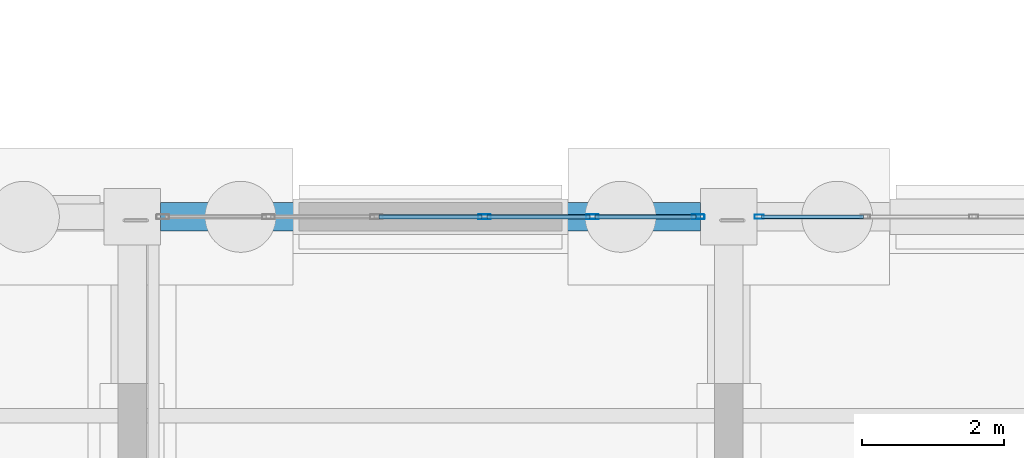
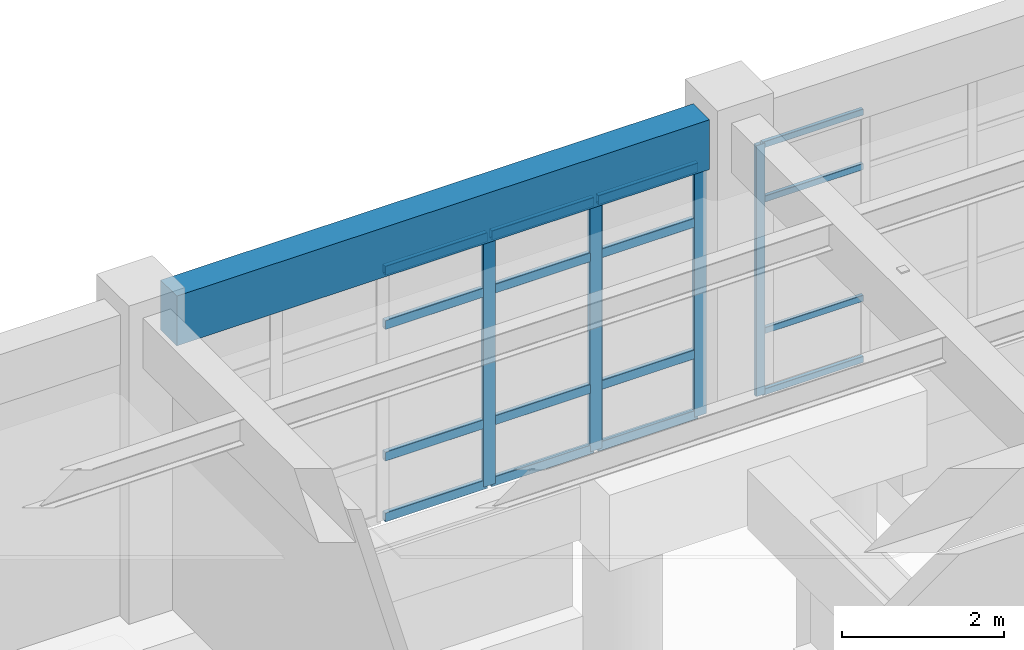
# One storey, part 31 of 111: 20 members, 1 beam, 2 elements without a shape of their own.
"""IFC4 building model written with IfcOpenShell, lengths in metres."""

from ifc_helpers import new_model, si_unit, direction, frame, origin, origin_2d, place, context, subcontext, project, spatial, rectangle, hollow_rectangle, extrude, material, material_profile, profile_set, type_object, element, aggregate, save


model = new_model("IFC4")

# Units and contexts
model_context = context("Model", 3, precision=1e-05, world=origin(), true_north=direction((0.0, 1.0)))
body_context = subcontext(model_context, "Body", "Model", "MODEL_VIEW")
ifc_project = project(units=[si_unit("LENGTHUNIT", "METRE"), si_unit("AREAUNIT", "SQUARE_METRE"), si_unit("VOLUMEUNIT", "CUBIC_METRE"), si_unit("PLANEANGLEUNIT", "RADIAN"), si_unit("MASSUNIT", "GRAM", prefix="KILO")], contexts=[model_context])

# Site, building, storey
site_placement = place(None, origin())
site = spatial("IfcSite", under=ifc_project, at=site_placement, CompositionType="ELEMENT")
building_placement = place(site_placement, origin())
building = spatial("IfcBuilding", under=site, at=building_placement, Name="Canglan Escarpment Cableway Terminal", CompositionType="ELEMENT")
storey_placement = place(building_placement, frame((0.0, 0.0, 4.800048828125)))
storey = spatial("IfcBuildingStorey", under=building, at=storey_placement, Name="L01", CompositionType="ELEMENT", Elevation=4.800048828125)

# Curtain wall, member
ifc_material_1 = material(Name="Anodized bronze aluminium and Low-E double glazing", Category="aluminium")
curtain_wall_type_1 = type_object("IfcCurtainWallType", Name="CW-BAY-7625x3775", PredefinedType="NOTDEFINED", material=ifc_material_1)
curtain_wall_1_placement = place(storey_placement, origin())
curtain_wall_1 = element("IfcCurtainWall", 1, at=curtain_wall_1_placement, inside=storey, type_object=curtain_wall_type_1, Name="Classical bay-between-piers glazed curtain wall CW-10", PredefinedType="NOTDEFINED")
ifc_material_2 = material(Name="Thermally broken anodized aluminium 6063-T6", Category="aluminium")
ifc_material_profile_1 = material_profile(ifc_material_2, hollow_rectangle(XDim=0.06005859375, YDim=0.1298828125, WallThickness=0.0029296875, InnerFilletRadius=0.0029296875, OuterFilletRadius=0.006103515625, at=origin_2d()), Name="ALU-MULL 60x130x3")
ifc_profile_set_1 = profile_set([ifc_material_profile_1], Name="Thermally broken anodized aluminium 6063-T6")
member_type_1 = type_object("IfcMemberType", Name="CWM-01", PredefinedType="MULLION", material=ifc_profile_set_1)
member_1_placement = place(storey_placement, frame((102.6298828125, 24.800048828125, 0.0), z_axis=(0.0, 0.0, 1.0), x_axis=(0.0, -1.0, 0.0)))
member_1 = element("IfcMember", 2, at=member_1_placement, type_object=member_type_1, Name="CW-10 mullion 6", PredefinedType="MULLION", context=body_context, shape_type="SweptSolid", body=[
    extrude(hollow_rectangle(XDim=0.06005859375, YDim=0.1298828125, WallThickness=0.0029296875, InnerFilletRadius=0.0029296875, OuterFilletRadius=0.006103515625, at=origin_2d()), origin(), (0.0, 0.0, 1.0), 3.784912109375),
])

# Curtain wall, members
curtain_wall_type_2 = type_object("IfcCurtainWallType", Name="CW-BAY-7600x3775", PredefinedType="NOTDEFINED", material=ifc_material_1)
curtain_wall_2_placement = place(storey_placement, origin())
curtain_wall_2 = element("IfcCurtainWall", 3, at=curtain_wall_2_placement, inside=storey, type_object=curtain_wall_type_2, Name="Classical bay-between-piers glazed curtain wall CW-09", PredefinedType="NOTDEFINED")
ifc_material_profile_2 = material_profile(ifc_material_2, hollow_rectangle(XDim=0.06494140625, YDim=0.179931640625, WallThickness=0.00390625, InnerFilletRadius=0.00390625, OuterFilletRadius=0.008056640625, at=origin_2d()), Name="ALU-MULL 65x180x4")
ifc_profile_set_2 = profile_set([ifc_material_profile_2], Name="Thermally broken anodized aluminium 6063-T6")
member_type_2 = type_object("IfcMemberType", Name="CWM-03", PredefinedType="MULLION", material=ifc_profile_set_2)
member_2_placement = place(storey_placement, frame((101.767578125, 24.800048828125, 0.0), z_axis=(0.0, 0.0, 1.0), x_axis=(0.0, -1.0, 0.0)))
member_2 = element("IfcMember", 4, at=member_2_placement, type_object=member_type_2, Name="CW-09 mullion 1", PredefinedType="MULLION", context=body_context, shape_type="SweptSolid", body=[
    extrude(hollow_rectangle(XDim=0.06494140625, YDim=0.179931640625, WallThickness=0.00390625, InnerFilletRadius=0.00390625, OuterFilletRadius=0.008056640625, at=origin_2d()), origin(), (0.0, 0.0, 1.0), 3.784912109375),
])
member_3_placement = place(storey_placement, frame((100.280029296875, 24.800048828125, 0.0), z_axis=(0.0, 0.0, 1.0), x_axis=(0.0, -1.0, 0.0)))
member_3 = element("IfcMember", 5, at=member_3_placement, type_object=member_type_2, Name="CW-09 mullion 2", PredefinedType="MULLION", context=body_context, shape_type="SweptSolid", body=[
    extrude(hollow_rectangle(XDim=0.06494140625, YDim=0.179931640625, WallThickness=0.00390625, InnerFilletRadius=0.00390625, OuterFilletRadius=0.008056640625, at=origin_2d()), origin(), (0.0, 0.0, 1.0), 3.784912109375),
])
member_4_placement = place(storey_placement, frame((98.760009765625, 24.800048828125, 0.0), z_axis=(0.0, 0.0, 1.0), x_axis=(0.0, -1.0, 0.0)))
member_4 = element("IfcMember", 6, at=member_4_placement, type_object=member_type_2, Name="CW-09 mullion 3", PredefinedType="MULLION", context=body_context, shape_type="SweptSolid", body=[
    extrude(hollow_rectangle(XDim=0.06494140625, YDim=0.179931640625, WallThickness=0.00390625, InnerFilletRadius=0.00390625, OuterFilletRadius=0.008056640625, at=origin_2d()), origin(), (0.0, 0.0, 1.0), 3.784912109375),
])

# Member
ifc_material_profile_3 = material_profile(ifc_material_2, hollow_rectangle(XDim=0.054931640625, YDim=0.094970703125, WallThickness=0.0029296875, InnerFilletRadius=0.0029296875, OuterFilletRadius=0.006103515625, at=origin_2d()), Name="ALU-TRAN 55x95x3")
ifc_profile_set_3 = profile_set([ifc_material_profile_3], Name="Thermally broken anodized aluminium 6063-T6")
member_type_3 = type_object("IfcMemberType", Name="CWT-01", PredefinedType="USERDEFINED", material=ifc_profile_set_3)
member_5_placement = place(storey_placement, frame((104.094970703125, 24.800048828125, 0.02734375), z_axis=(-1.0, 0.0, 0.0), x_axis=(0.0, -1.0, 0.0)))
member_5 = element("IfcMember", 7, at=member_5_placement, type_object=member_type_3, Name="CW-10 transom 5.1", ObjectType="TRANSOM", PredefinedType="USERDEFINED", context=body_context, shape_type="SweptSolid", body=[
    extrude(hollow_rectangle(XDim=0.054931640625, YDim=0.094970703125, WallThickness=0.0029296875, InnerFilletRadius=0.0029296875, OuterFilletRadius=0.006103515625, at=origin_2d()), origin(), (0.0, 0.0, 1.0), 1.43505859375),
])

member_6_placement = place(storey_placement, frame((104.094970703125, 24.800048828125, 0.949951171875), z_axis=(-1.0, 0.0, 0.0), x_axis=(0.0, -1.0, 0.0)))
member_6 = element("IfcMember", 8, at=member_6_placement, type_object=member_type_3, Name="CW-10 transom 5.2", ObjectType="TRANSOM", PredefinedType="USERDEFINED", context=body_context, shape_type="SweptSolid", body=[
    extrude(hollow_rectangle(XDim=0.054931640625, YDim=0.094970703125, WallThickness=0.0029296875, InnerFilletRadius=0.0029296875, OuterFilletRadius=0.006103515625, at=origin_2d()), origin(), (0.0, 0.0, 1.0), 1.43505859375),
])

member_7_placement = place(storey_placement, frame((104.094970703125, 24.800048828125, 2.93505859375), z_axis=(-1.0, 0.0, 0.0), x_axis=(0.0, -1.0, 0.0)))
member_7 = element("IfcMember", 9, at=member_7_placement, type_object=member_type_3, Name="CW-10 transom 5.3", ObjectType="TRANSOM", PredefinedType="USERDEFINED", context=body_context, shape_type="SweptSolid", body=[
    extrude(hollow_rectangle(XDim=0.054931640625, YDim=0.094970703125, WallThickness=0.0029296875, InnerFilletRadius=0.0029296875, OuterFilletRadius=0.006103515625, at=origin_2d()), origin(), (0.0, 0.0, 1.0), 1.43505859375),
])

member_8_placement = place(storey_placement, frame((104.094970703125, 24.800048828125, 3.757568359375), z_axis=(-1.0, 0.0, 0.0), x_axis=(0.0, -1.0, 0.0)))
member_8 = element("IfcMember", 10, at=member_8_placement, type_object=member_type_3, Name="CW-10 transom 5.4", ObjectType="TRANSOM", PredefinedType="USERDEFINED", context=body_context, shape_type="SweptSolid", body=[
    extrude(hollow_rectangle(XDim=0.054931640625, YDim=0.094970703125, WallThickness=0.0029296875, InnerFilletRadius=0.0029296875, OuterFilletRadius=0.006103515625, at=origin_2d()), origin(), (0.0, 0.0, 1.0), 1.43505859375),
])

aggregate(curtain_wall_1, [member_1, member_5, member_6, member_7, member_8])

ifc_material_profile_4 = material_profile(ifc_material_2, hollow_rectangle(XDim=0.06494140625, YDim=0.139892578125, WallThickness=0.00341796875, InnerFilletRadius=0.00341796875, OuterFilletRadius=0.007080078125, at=origin_2d()), Name="ALU-TRAN 65x140x3.5")
ifc_profile_set_4 = profile_set([ifc_material_profile_4], Name="Thermally broken anodized aluminium 6063-T6")
member_type_4 = type_object("IfcMemberType", Name="CWT-03", PredefinedType="USERDEFINED", material=ifc_profile_set_4)
member_9_placement = place(storey_placement, frame((101.735107421875, 24.800048828125, 0.032470703125), z_axis=(-1.0, 0.0, 0.0), x_axis=(0.0, -1.0, 0.0)))
member_9 = element("IfcMember", 11, at=member_9_placement, type_object=member_type_4, Name="CW-09 transom 1.1", ObjectType="TRANSOM", PredefinedType="USERDEFINED", context=body_context, shape_type="SweptSolid", body=[
    extrude(hollow_rectangle(XDim=0.06494140625, YDim=0.139892578125, WallThickness=0.00341796875, InnerFilletRadius=0.00341796875, OuterFilletRadius=0.007080078125, at=origin_2d()), origin(), (0.0, 0.0, 1.0), 1.422607421875),
])

member_10_placement = place(storey_placement, frame((101.735107421875, 24.800048828125, 0.949951171875), z_axis=(-1.0, 0.0, 0.0), x_axis=(0.0, -1.0, 0.0)))
member_10 = element("IfcMember", 12, at=member_10_placement, type_object=member_type_4, Name="CW-09 transom 1.2", ObjectType="TRANSOM", PredefinedType="USERDEFINED", context=body_context, shape_type="SweptSolid", body=[
    extrude(hollow_rectangle(XDim=0.06494140625, YDim=0.139892578125, WallThickness=0.00341796875, InnerFilletRadius=0.00341796875, OuterFilletRadius=0.007080078125, at=origin_2d()), origin(), (0.0, 0.0, 1.0), 1.422607421875),
])

member_11_placement = place(storey_placement, frame((101.735107421875, 24.800048828125, 2.93505859375), z_axis=(-1.0, 0.0, 0.0), x_axis=(0.0, -1.0, 0.0)))
member_11 = element("IfcMember", 13, at=member_11_placement, type_object=member_type_4, Name="CW-09 transom 1.3", ObjectType="TRANSOM", PredefinedType="USERDEFINED", context=body_context, shape_type="SweptSolid", body=[
    extrude(hollow_rectangle(XDim=0.06494140625, YDim=0.139892578125, WallThickness=0.00341796875, InnerFilletRadius=0.00341796875, OuterFilletRadius=0.007080078125, at=origin_2d()), origin(), (0.0, 0.0, 1.0), 1.422607421875),
])

member_12_placement = place(storey_placement, frame((101.735107421875, 24.800048828125, 3.75244140625), z_axis=(-1.0, 0.0, 0.0), x_axis=(0.0, -1.0, 0.0)))
member_12 = element("IfcMember", 14, at=member_12_placement, type_object=member_type_4, Name="CW-09 transom 1.4", ObjectType="TRANSOM", PredefinedType="USERDEFINED", context=body_context, shape_type="SweptSolid", body=[
    extrude(hollow_rectangle(XDim=0.06494140625, YDim=0.139892578125, WallThickness=0.00341796875, InnerFilletRadius=0.00341796875, OuterFilletRadius=0.007080078125, at=origin_2d()), origin(), (0.0, 0.0, 1.0), 1.422607421875),
])

member_13_placement = place(storey_placement, frame((100.24755859375, 24.800048828125, 0.032470703125), z_axis=(-1.0, 0.0, 0.0), x_axis=(0.0, -1.0, 0.0)))
member_13 = element("IfcMember", 15, at=member_13_placement, type_object=member_type_4, Name="CW-09 transom 2.1", ObjectType="TRANSOM", PredefinedType="USERDEFINED", context=body_context, shape_type="SweptSolid", body=[
    extrude(hollow_rectangle(XDim=0.06494140625, YDim=0.139892578125, WallThickness=0.00341796875, InnerFilletRadius=0.00341796875, OuterFilletRadius=0.007080078125, at=origin_2d()), origin(), (0.0, 0.0, 1.0), 1.455078125),
])

member_14_placement = place(storey_placement, frame((100.24755859375, 24.800048828125, 0.949951171875), z_axis=(-1.0, 0.0, 0.0), x_axis=(0.0, -1.0, 0.0)))
member_14 = element("IfcMember", 16, at=member_14_placement, type_object=member_type_4, Name="CW-09 transom 2.2", ObjectType="TRANSOM", PredefinedType="USERDEFINED", context=body_context, shape_type="SweptSolid", body=[
    extrude(hollow_rectangle(XDim=0.06494140625, YDim=0.139892578125, WallThickness=0.00341796875, InnerFilletRadius=0.00341796875, OuterFilletRadius=0.007080078125, at=origin_2d()), origin(), (0.0, 0.0, 1.0), 1.455078125),
])

member_15_placement = place(storey_placement, frame((100.24755859375, 24.800048828125, 2.93505859375), z_axis=(-1.0, 0.0, 0.0), x_axis=(0.0, -1.0, 0.0)))
member_15 = element("IfcMember", 17, at=member_15_placement, type_object=member_type_4, Name="CW-09 transom 2.3", ObjectType="TRANSOM", PredefinedType="USERDEFINED", context=body_context, shape_type="SweptSolid", body=[
    extrude(hollow_rectangle(XDim=0.06494140625, YDim=0.139892578125, WallThickness=0.00341796875, InnerFilletRadius=0.00341796875, OuterFilletRadius=0.007080078125, at=origin_2d()), origin(), (0.0, 0.0, 1.0), 1.455078125),
])

member_16_placement = place(storey_placement, frame((100.24755859375, 24.800048828125, 3.75244140625), z_axis=(-1.0, 0.0, 0.0), x_axis=(0.0, -1.0, 0.0)))
member_16 = element("IfcMember", 18, at=member_16_placement, type_object=member_type_4, Name="CW-09 transom 2.4", ObjectType="TRANSOM", PredefinedType="USERDEFINED", context=body_context, shape_type="SweptSolid", body=[
    extrude(hollow_rectangle(XDim=0.06494140625, YDim=0.139892578125, WallThickness=0.00341796875, InnerFilletRadius=0.00341796875, OuterFilletRadius=0.007080078125, at=origin_2d()), origin(), (0.0, 0.0, 1.0), 1.455078125),
])

member_17_placement = place(storey_placement, frame((98.7275390625, 24.800048828125, 0.032470703125), z_axis=(-1.0, 0.0, 0.0), x_axis=(0.0, -1.0, 0.0)))
member_17 = element("IfcMember", 19, at=member_17_placement, type_object=member_type_4, Name="CW-09 transom 3.1", ObjectType="TRANSOM", PredefinedType="USERDEFINED", context=body_context, shape_type="SweptSolid", body=[
    extrude(hollow_rectangle(XDim=0.06494140625, YDim=0.139892578125, WallThickness=0.00341796875, InnerFilletRadius=0.00341796875, OuterFilletRadius=0.007080078125, at=origin_2d()), origin(), (0.0, 0.0, 1.0), 1.455078125),
])

member_18_placement = place(storey_placement, frame((98.7275390625, 24.800048828125, 0.949951171875), z_axis=(-1.0, 0.0, 0.0), x_axis=(0.0, -1.0, 0.0)))
member_18 = element("IfcMember", 20, at=member_18_placement, type_object=member_type_4, Name="CW-09 transom 3.2", ObjectType="TRANSOM", PredefinedType="USERDEFINED", context=body_context, shape_type="SweptSolid", body=[
    extrude(hollow_rectangle(XDim=0.06494140625, YDim=0.139892578125, WallThickness=0.00341796875, InnerFilletRadius=0.00341796875, OuterFilletRadius=0.007080078125, at=origin_2d()), origin(), (0.0, 0.0, 1.0), 1.455078125),
])

member_19_placement = place(storey_placement, frame((98.7275390625, 24.800048828125, 2.93505859375), z_axis=(-1.0, 0.0, 0.0), x_axis=(0.0, -1.0, 0.0)))
member_19 = element("IfcMember", 21, at=member_19_placement, type_object=member_type_4, Name="CW-09 transom 3.3", ObjectType="TRANSOM", PredefinedType="USERDEFINED", context=body_context, shape_type="SweptSolid", body=[
    extrude(hollow_rectangle(XDim=0.06494140625, YDim=0.139892578125, WallThickness=0.00341796875, InnerFilletRadius=0.00341796875, OuterFilletRadius=0.007080078125, at=origin_2d()), origin(), (0.0, 0.0, 1.0), 1.455078125),
])

member_20_placement = place(storey_placement, frame((98.7275390625, 24.800048828125, 3.75244140625), z_axis=(-1.0, 0.0, 0.0), x_axis=(0.0, -1.0, 0.0)))
member_20 = element("IfcMember", 22, at=member_20_placement, type_object=member_type_4, Name="CW-09 transom 3.4", ObjectType="TRANSOM", PredefinedType="USERDEFINED", context=body_context, shape_type="SweptSolid", body=[
    extrude(hollow_rectangle(XDim=0.06494140625, YDim=0.139892578125, WallThickness=0.00341796875, InnerFilletRadius=0.00341796875, OuterFilletRadius=0.007080078125, at=origin_2d()), origin(), (0.0, 0.0, 1.0), 1.455078125),
])

aggregate(curtain_wall_2, [member_2, member_3, member_4, member_9, member_10, member_11, member_12, member_13, member_14, member_15, member_16, member_17, member_18, member_19, member_20])

# Beam
ifc_material_3 = material(Name="Concrete C40", Category="concrete")
ifc_material_profile_5 = material_profile(ifc_material_3, rectangle(XDim=0.39990234375, YDim=0.75, at=origin_2d()), Name="RC 400x750")
ifc_profile_set_5 = profile_set([ifc_material_profile_5], Name="Concrete C40")
beam_type = type_object("IfcBeamType", Name="SP-RC400x750", PredefinedType="SPANDREL", material=ifc_profile_set_5)
beam_placement = place(storey_placement, frame((94.199951171875, 24.800048828125, 4.175048828125), z_axis=(1.0, 0.0, 0.0), x_axis=(0.0, 1.0, 0.0)))
element("IfcBeam", 23, at=beam_placement, inside=storey, type_object=beam_type, Name="Primary structural girder SP-01", PredefinedType="SPANDREL", context=body_context, shape_type="SweptSolid", body=[
    extrude(rectangle(XDim=0.39990234375, YDim=0.75, at=origin_2d()), origin(), (0.0, 0.0, 1.0), 7.60009765625),
])

save(model, "model.ifc")
